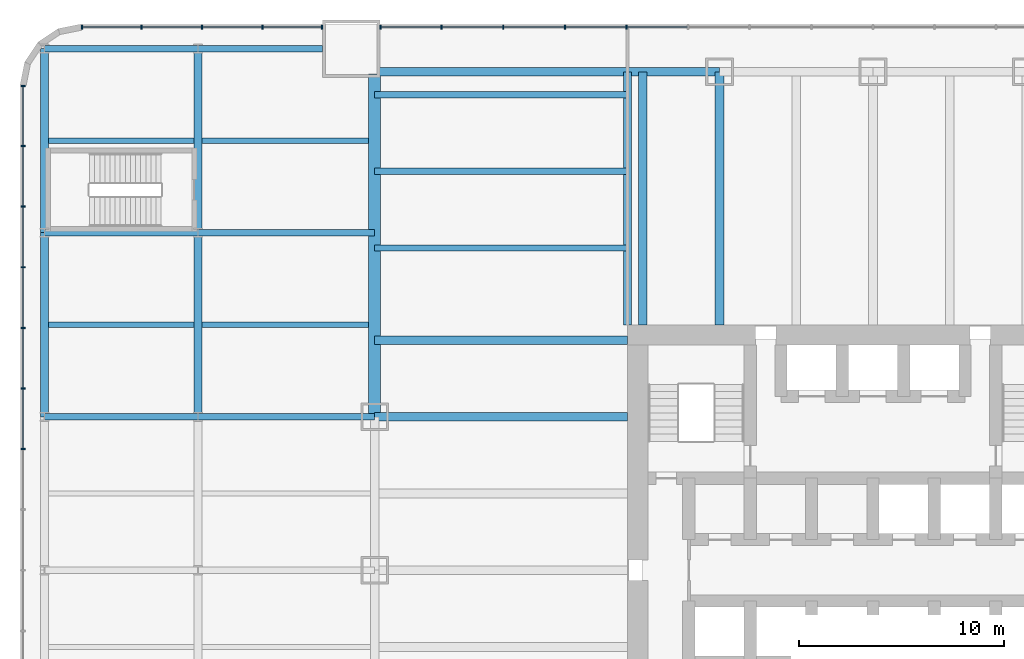
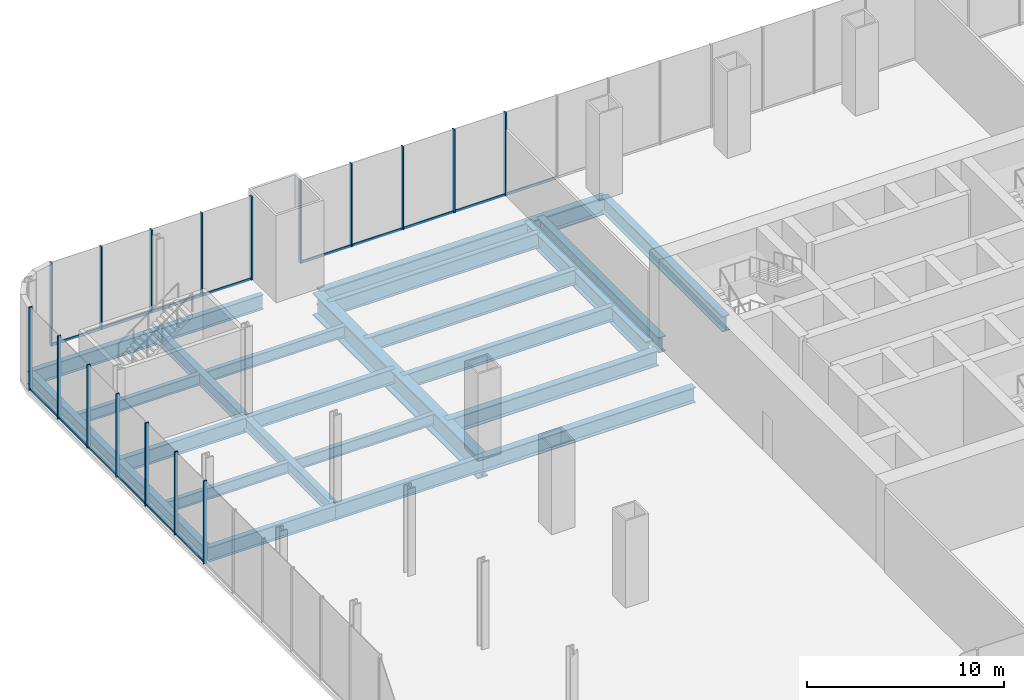
# One storey, part 6 of 16: 32 members, 24 beams, 3 elements without a shape of their own.
"""IFC4 building model written with IfcOpenShell, lengths in metres."""

import ifcopenshell
import ifcopenshell.guid

model = None  # the IFC model being written
_history = None  # IfcOwnerHistory: only IFC2X3 demands one
_inside = {}  # id of a spatial element -> (the spatial element, [elements in it])
_under = {}  # id of a project, library or spatial element -> (it, [spatial elements below it])
_declared = {}  # id of a project -> (the project, [libraries it declares])
_typed = {}  # id of a type object -> (the type object, [elements of that type])
_made_of = {}  # id of a material, layer set ... -> (it, [elements and type objects made of it])


def new_model(schema):
    """Start an empty IFC model of exactly this schema.

    Asked for "IFC4X3", IfcOpenShell would pick the latest addendum, in which some entities
    have other attributes; the version numbers below select the first issue.
    IFC2X3 requires an IfcOwnerHistory on every rooted entity: one is made here for all.
    """
    global model, _history
    if schema == "IFC4X3":
        model = ifcopenshell.file(schema_version=(4, 3, 0, 0))
    else:
        model = ifcopenshell.file(schema=schema)
    _inside.clear()
    _under.clear()
    _declared.clear()
    _typed.clear()
    _made_of.clear()
    _history = None
    if model.schema == "IFC2X3":
        org = make("IfcOrganization", Name="unknown")
        user = make(
            "IfcPersonAndOrganization",
            ThePerson=make("IfcPerson", FamilyName="unknown"),
            TheOrganization=org,
        )
        app = make(
            "IfcApplication",
            ApplicationDeveloper=org,
            Version="unknown",
            ApplicationFullName="unknown",
            ApplicationIdentifier="unknown",
        )
        _history = make(
            "IfcOwnerHistory",
            OwningUser=user,
            OwningApplication=app,
            ChangeAction="ADDED",
            CreationDate=0,
        )
    return model


def make(cls, **values):
    """One entity of the class cls with the attributes given. An attribute that is None is left unset."""
    return model.create_entity(
        cls, **{name: value for name, value in values.items() if value is not None}
    )


def rooted(cls, **values):
    """An entity with a GlobalId (a new one), such as an element, a storey or a relation."""
    return make(cls, GlobalId=ifcopenshell.guid.new(), OwnerHistory=_history, **values)


def si_unit(unit_type, name, prefix=None):
    """IfcSIUnit, for example si_unit("LENGTHUNIT", "METRE", prefix="MILLI")."""
    return make("IfcSIUnit", UnitType=unit_type, Prefix=prefix, Name=name)


def assignment(units):
    """IfcUnitAssignment: the units of a project."""
    return None if units is None else make("IfcUnitAssignment", Units=units)


def point(xyz):
    """IfcCartesianPoint."""
    return None if xyz is None else make("IfcCartesianPoint", Coordinates=xyz)


def direction(xyz):
    """IfcDirection."""
    return None if xyz is None else make("IfcDirection", DirectionRatios=xyz)


def frame(location, z_axis=None, x_axis=None):
    """IfcAxis2Placement3D, a coordinate frame: its origin and axes. An axis left out is left unset."""
    return make(
        "IfcAxis2Placement3D",
        Location=point(location),
        Axis=direction(z_axis),
        RefDirection=direction(x_axis),
    )


def frame_2d(location, x_axis=None):
    """IfcAxis2Placement2D, a coordinate frame in the plane: its origin and x axis."""
    return make(
        "IfcAxis2Placement2D", Location=point(location), RefDirection=direction(x_axis)
    )


def origin():
    """The frame at (0, 0, 0) with its axes left unset."""
    return frame((0.0, 0.0, 0.0))


def origin_2d():
    """The frame at (0, 0) in the plane with its x axis left unset."""
    return frame_2d((0.0, 0.0))


def place(relative_to, where):
    """IfcLocalPlacement: puts the frame where relative to a parent placement (None: the world)."""
    return make(
        "IfcLocalPlacement", PlacementRelTo=relative_to, RelativePlacement=where
    )


def context(
    kind, dimensions, precision=None, world=None, true_north=None, identifier=None
):
    """IfcGeometricRepresentationContext, for example the 3D "Model" context."""
    return make(
        "IfcGeometricRepresentationContext",
        ContextIdentifier=identifier,
        ContextType=kind,
        CoordinateSpaceDimension=dimensions,
        Precision=precision,
        WorldCoordinateSystem=world,
        TrueNorth=true_north,
    )


def subcontext(parent, identifier, kind, view, scale=None):
    """IfcGeometricRepresentationSubContext, for example "Body" below "Model"."""
    return make(
        "IfcGeometricRepresentationSubContext",
        ContextIdentifier=identifier,
        ContextType=kind,
        ParentContext=parent,
        TargetScale=scale,
        TargetView=view,
    )


def project(units=None, contexts=None):
    """IfcProject with its units and contexts."""
    return rooted(
        "IfcProject",
        Name="project",
        RepresentationContexts=contexts,
        UnitsInContext=assignment(units),
    )


def spatial(cls, under=None, at=None, **own):
    """A site, building, storey or space (cls), placed at a placement, below another one or the project."""
    s = rooted(cls, ObjectPlacement=at, **own)
    if under is not None:
        _under.setdefault(under.id(), (under, []))[1].append(s)
    return s


def profile(cls, at=None, kind="AREA", **sizes):
    """A parametric profile (cls). Its sizes go by their IFC names, for example OverallWidth=200.0."""
    return make(cls, ProfileType=kind, Position=at, **sizes)


def rectangle(**sizes):
    """IfcRectangleProfileDef."""
    return profile("IfcRectangleProfileDef", **sizes)


def i_section(**sizes):
    """IfcIShapeProfileDef."""
    return profile("IfcIShapeProfileDef", **sizes)


def extrude(swept, where, along, depth):
    """IfcExtrudedAreaSolid: the profile swept, set in the frame where, extruded along a direction by depth."""
    return make(
        "IfcExtrudedAreaSolid",
        SweptArea=swept,
        Position=where,
        ExtrudedDirection=direction(along),
        Depth=depth,
    )


def shape(context_of_items, identifier, shape_type, items):
    """IfcShapeRepresentation: the items that make up one representation, for example the "Body"."""
    return make(
        "IfcShapeRepresentation",
        ContextOfItems=context_of_items,
        RepresentationIdentifier=identifier,
        RepresentationType=shape_type,
        Items=items,
    )


def material(Name=None, Category=None):
    """IfcMaterial."""
    return make("IfcMaterial", Name=Name, Category=Category)


def material_profile(
    of_material, cross_section, Name=None, Category=None, Priority=None
):
    """IfcMaterialProfile: a cross section and its material."""
    return make(
        "IfcMaterialProfile",
        Name=Name,
        Material=of_material,
        Profile=cross_section,
        Priority=Priority,
        Category=Category,
    )


def profile_set(profiles, Name=None, composite=None):
    """IfcMaterialProfileSet."""
    return make(
        "IfcMaterialProfileSet",
        Name=Name,
        MaterialProfiles=profiles,
        CompositeProfile=composite,
    )


def made_of(thing, what):
    """Note that an element or type object is made of a material, layer set ...; save() writes the relation."""
    if what is not None:
        _made_of.setdefault(what.id(), (what, []))[1].append(thing)
    return thing


def type_object(cls, material=None, **own):
    """A type object (cls), such as IfcWallType, which elements share."""
    return made_of(rooted(cls, **own), material)


def element(
    cls,
    number,
    at=None,
    inside=None,
    cuts=None,
    type_object=None,
    material=None,
    context=None,
    identifier="Body",
    shape_type=None,
    held_by="IfcProductDefinitionShape",
    body=None,
    shapes=None,
    **own,
):
    """One element of the class cls, such as IfcWall. Its Tag is "e" and its number.

    at: its placement. inside: the storey or other place that contains it. cuts: it is an
    opening in that element (IfcRelVoidsElement). A single representation is given by context,
    identifier, shape_type and body (its items); several are given by shapes. held_by: the class
    of the entity that holds the representations. save() writes the other relations.
    """
    e = rooted(cls, Tag="e%d" % number, ObjectPlacement=at, **own)
    if body is not None:
        shapes = [shape(context, identifier, shape_type, body)]
    if shapes is not None:
        e.Representation = make(held_by, Representations=shapes)
    if inside is not None:
        _inside.setdefault(inside.id(), (inside, []))[1].append(e)
    if cuts is not None:
        rooted(
            "IfcRelVoidsElement", RelatingBuildingElement=cuts, RelatedOpeningElement=e
        )
    if type_object is not None:
        _typed.setdefault(type_object.id(), (type_object, []))[1].append(e)
    return made_of(e, material)


def aggregate(whole, parts):
    """IfcRelAggregates: a whole, such as a stair, and the parts it consists of."""
    return rooted("IfcRelAggregates", RelatingObject=whole, RelatedObjects=parts)


def save(model, path):
    """Write the relations noted so far, then the file.

    IfcRelAggregates (storeys below a building ...), IfcRelContainedInSpatialStructure (elements
    in a storey), IfcRelDefinesByType, IfcRelAssociatesMaterial and IfcRelDeclares: one each for
    every whole, place, type object, material and project.
    """
    for whole, parts in _under.values():
        aggregate(whole, parts)
    for where, things in _inside.values():
        rooted(
            "IfcRelContainedInSpatialStructure",
            RelatedElements=things,
            RelatingStructure=where,
        )
    for kind, things in _typed.values():
        rooted("IfcRelDefinesByType", RelatedObjects=things, RelatingType=kind)
    for what, things in _made_of.values():
        rooted("IfcRelAssociatesMaterial", RelatedObjects=things, RelatingMaterial=what)
    for by, libraries in _declared.values():
        rooted("IfcRelDeclares", RelatingContext=by, RelatedDefinitions=libraries)
    model.write(path)


model = new_model("IFC4")

# Units and contexts
model_context = context("Model", 3, precision=1e-05, world=origin(), true_north=direction((0.0, 1.0)))
body_context = subcontext(model_context, "Body", "Model", "MODEL_VIEW")
ifc_project = project(units=[si_unit("LENGTHUNIT", "METRE"), si_unit("AREAUNIT", "SQUARE_METRE"), si_unit("VOLUMEUNIT", "CUBIC_METRE"), si_unit("PLANEANGLEUNIT", "RADIAN"), si_unit("MASSUNIT", "GRAM", prefix="KILO")], contexts=[model_context])

# Site, building, storey
site_placement = place(None, origin())
site = spatial("IfcSite", under=ifc_project, at=site_placement, CompositionType="ELEMENT")
building_placement = place(site_placement, origin())
building = spatial("IfcBuilding", under=site, at=building_placement, Name="Tarangal Relay Tower", CompositionType="ELEMENT")
storey_placement = place(building_placement, frame((0.0, 0.0, 7.199951171875)))
storey = spatial("IfcBuildingStorey", under=building, at=storey_placement, Name="L01", CompositionType="ELEMENT", Elevation=7.199951171875)

# Beams
ifc_material_1 = material(Name="Steel ASTM A992", Category="steel")
ifc_material_profile_1 = material_profile(ifc_material_1, i_section(OverallWidth=0.307373046875, OverallDepth=0.927001953125, WebThickness=0.019287109375, FlangeThickness=0.031982421875, at=origin_2d()), Name="W36X194")
ifc_profile_set_1 = profile_set([ifc_material_profile_1], Name="Steel ASTM A992")
beam_type_1 = type_object("IfcBeamType", Name="Corner beam W36X194", PredefinedType="JOIST", material=ifc_profile_set_1)
for number, where, z_axis, x_axis, name in (
    (1, (-12.0, 15.75, -0.71337890625), (-1.0, 0.0, 0.0), (0.0, -1.0, 0.0), "Corner beam CB10 W L01"),
    (2, (-12.0, 19.5, -0.71337890625), (-1.0, 0.0, 0.0), (0.0, -1.0, 0.0), "Corner beam CB10 W L01"),
    (3, (-12.0, 23.25, -0.71337890625), (-1.0, 0.0, 0.0), (0.0, -1.0, 0.0), "Corner beam CB10 W L01"),
):
    element("IfcBeam", number, at=place(storey_placement, frame(where, z_axis=z_axis, x_axis=x_axis)), inside=storey, type_object=beam_type_1, Name=name, PredefinedType="JOIST", context=body_context, shape_type="SweptSolid", body=[
        extrude(i_section(OverallWidth=0.307373046875, OverallDepth=0.927001953125, WebThickness=0.019287109375, FlangeThickness=0.031982421875, at=origin_2d()), origin(), (0.0, 0.0, 1.0), 12.364990234375),
    ])
ifc_material_profile_2 = material_profile(ifc_material_1, i_section(OverallWidth=0.408935546875, OverallDepth=1.04150390625, WebThickness=0.031005859375, FlangeThickness=0.055908203125, at=origin_2d()), Name="W40X397")
ifc_profile_set_2 = profile_set([ifc_material_profile_2], Name="Steel ASTM A992")
beam_type_2 = type_object("IfcBeamType", Name="Corner girder W40X397", PredefinedType="BEAM", material=ifc_profile_set_2)
beam_1_placement = place(storey_placement, frame((-12.0, 12.0, -0.770751953125), z_axis=(0.0, 1.0, 0.0), x_axis=(-1.0, 0.0, 0.0)))
element("IfcBeam", 4, at=beam_1_placement, inside=storey, type_object=beam_type_2, Name="Corner girder CG1 W L01", PredefinedType="BEAM", context=body_context, shape_type="SweptSolid", body=[
    extrude(i_section(OverallWidth=0.408935546875, OverallDepth=1.04150390625, WebThickness=0.031005859375, FlangeThickness=0.055908203125, at=origin_2d()), origin(), (0.0, 0.0, 1.0), 12.364990234375),
])
ifc_material_profile_3 = material_profile(ifc_material_1, i_section(OverallWidth=0.41650390625, OverallDepth=1.0693359375, WebThickness=0.0390625, FlangeThickness=0.070068359375, at=origin_2d()), Name="W40X503")
ifc_profile_set_3 = profile_set([ifc_material_profile_3], Name="Steel ASTM A992")
beam_type_3 = type_object("IfcBeamType", Name="Edge girder W40X503", PredefinedType="SPANDREL", material=ifc_profile_set_3)
beam_2_placement = place(storey_placement, frame((-24.25, 24.364990234375, -0.78466796875), z_axis=(1.0, 0.0, 0.0), x_axis=(0.0, 1.0, 0.0)))
element("IfcBeam", 5, at=beam_2_placement, inside=storey, type_object=beam_type_3, Name="Edge girder EG8 N L01", PredefinedType="SPANDREL", context=body_context, shape_type="SweptSolid", body=[
    extrude(i_section(OverallWidth=0.41650390625, OverallDepth=1.0693359375, WebThickness=0.0390625, FlangeThickness=0.070068359375, at=origin_2d()), origin(), (0.0, 0.0, 1.0), 16.75),
])
ifc_material_profile_4 = material_profile(ifc_material_1, i_section(OverallWidth=0.42431640625, OverallDepth=0.947509765625, WebThickness=0.02392578125, FlangeThickness=0.042724609375, at=origin_2d()), Name="W36X302")
ifc_profile_set_4 = profile_set([ifc_material_profile_4], Name="Steel ASTM A992")
beam_type_4 = type_object("IfcBeamType", Name="Floor beam W36X302", PredefinedType="BEAM", material=ifc_profile_set_4)
for number, where, z_axis, x_axis, name in (
    (6, (-11.25, 12.0, -0.7236328125), (0.0, 1.0, 0.0), (-1.0, 0.0, 0.0), "Floor beam RB10 N L01"),
    (7, (-7.5, 12.0, -0.7236328125), (0.0, 1.0, 0.0), (-1.0, 0.0, 0.0), "Floor beam RB10 N L01"),
    (8, (-12.0, 7.5, -0.7236328125), (-1.0, 0.0, 0.0), (0.0, -1.0, 0.0), "Floor beam RB10 W L01"),
    (9, (-12.0, 11.25, -0.7236328125), (-1.0, 0.0, 0.0), (0.0, -1.0, 0.0), "Floor beam RB10 W L01"),
):
    element("IfcBeam", number, at=place(storey_placement, frame(where, z_axis=z_axis, x_axis=x_axis)), inside=storey, type_object=beam_type_4, Name=name, PredefinedType="BEAM", context=body_context, shape_type="SweptSolid", body=[
        extrude(i_section(OverallWidth=0.42431640625, OverallDepth=0.947509765625, WebThickness=0.02392578125, FlangeThickness=0.042724609375, at=origin_2d()), origin(), (0.0, 0.0, 1.0), 12.364990234375),
    ])

# Curtain wall, members
ifc_material_2 = material(Name="Unitised curtain wall, dark glass and black aluminium", Category="aluminium")
curtain_wall_type = type_object("IfcCurtainWallType", Name="Curtain wall CW-P", PredefinedType="USERDEFINED", material=ifc_material_2)
curtain_wall_1_placement = place(storey_placement, origin())
curtain_wall_1 = element("IfcCurtainWall", 10, at=curtain_wall_1_placement, inside=storey, type_object=curtain_wall_type, Name="Curtain wall CW-P Podium N facade L01", ObjectType="UNITISED CURTAIN WALL", PredefinedType="USERDEFINED")
ifc_material_3 = material(Name="Black anodised aluminium mullion", Category="aluminium")
ifc_material_profile_5 = material_profile(ifc_material_3, rectangle(XDim=0.199951171875, YDim=0.070068359375, at=origin_2d()), Name="CW-PM 70X200")
ifc_profile_set_5 = profile_set([ifc_material_profile_5], Name="Black anodised aluminium mullion")
member_type_1 = type_object("IfcMemberType", Name="Mullion CW-P 70 x 200", PredefinedType="MULLION", material=ifc_profile_set_5)
member_1_placement = place(storey_placement, frame((-12.050048828125, 26.550048828125, 0.0), z_axis=(0.0, 0.0, 1.0), x_axis=(0.0, -1.0, 0.0)))
member_1 = element("IfcMember", 11, at=member_1_placement, type_object=member_type_1, Name="CW-P mullion 13", PredefinedType="MULLION", context=body_context, shape_type="SweptSolid", body=[
    extrude(rectangle(XDim=0.199951171875, YDim=0.070068359375, at=origin_2d()), origin(), (0.0, 0.0, 1.0), 5.150146484375),
])
member_2_placement = place(storey_placement, frame((-15.0625, 26.550048828125, 0.0), z_axis=(0.0, 0.0, 1.0), x_axis=(0.0, -1.0, 0.0)))
member_2 = element("IfcMember", 12, at=member_2_placement, type_object=member_type_1, Name="CW-P mullion 14", PredefinedType="MULLION", context=body_context, shape_type="SweptSolid", body=[
    extrude(rectangle(XDim=0.199951171875, YDim=0.070068359375, at=origin_2d()), origin(), (0.0, 0.0, 1.0), 5.150146484375),
])
member_3_placement = place(storey_placement, frame((-18.074951171875, 26.550048828125, 0.0), z_axis=(0.0, 0.0, 1.0), x_axis=(0.0, -1.0, 0.0)))
member_3 = element("IfcMember", 13, at=member_3_placement, type_object=member_type_1, Name="CW-P mullion 15", PredefinedType="MULLION", context=body_context, shape_type="SweptSolid", body=[
    extrude(rectangle(XDim=0.199951171875, YDim=0.070068359375, at=origin_2d()), origin(), (0.0, 0.0, 1.0), 5.150146484375),
])
member_4_placement = place(storey_placement, frame((-21.08740234375, 26.550048828125, 0.0), z_axis=(0.0, 0.0, 1.0), x_axis=(0.0, -1.0, 0.0)))
member_4 = element("IfcMember", 14, at=member_4_placement, type_object=member_type_1, Name="CW-P mullion 16", PredefinedType="MULLION", context=body_context, shape_type="SweptSolid", body=[
    extrude(rectangle(XDim=0.199951171875, YDim=0.070068359375, at=origin_2d()), origin(), (0.0, 0.0, 1.0), 5.150146484375),
])
member_5_placement = place(storey_placement, frame((-24.06494140625, 26.550048828125, 0.0), z_axis=(0.0, 0.0, 1.0), x_axis=(0.0, -1.0, 0.0)))
member_5 = element("IfcMember", 15, at=member_5_placement, type_object=member_type_1, Name="CW-P mullion 17", PredefinedType="MULLION", context=body_context, shape_type="SweptSolid", body=[
    extrude(rectangle(XDim=0.199951171875, YDim=0.070068359375, at=origin_2d()), origin(), (0.0, 0.0, 1.0), 5.150146484375),
])

curtain_wall_2_placement = place(storey_placement, origin())
curtain_wall_2 = element("IfcCurtainWall", 16, at=curtain_wall_2_placement, inside=storey, type_object=curtain_wall_type, Name="Curtain wall CW-P Podium N facade L01", ObjectType="UNITISED CURTAIN WALL", PredefinedType="USERDEFINED")
member_6_placement = place(storey_placement, frame((-26.93505859375, 26.550048828125, 0.0), z_axis=(0.0, 0.0, 1.0), x_axis=(0.0, -1.0, 0.0)))
member_6 = element("IfcMember", 17, at=member_6_placement, type_object=member_type_1, Name="CW-P mullion 1", PredefinedType="MULLION", context=body_context, shape_type="SweptSolid", body=[
    extrude(rectangle(XDim=0.199951171875, YDim=0.070068359375, at=origin_2d()), origin(), (0.0, 0.0, 1.0), 5.150146484375),
])
member_7_placement = place(storey_placement, frame((-29.85009765625, 26.550048828125, 0.0), z_axis=(0.0, 0.0, 1.0), x_axis=(0.0, -1.0, 0.0)))
member_7 = element("IfcMember", 18, at=member_7_placement, type_object=member_type_1, Name="CW-P mullion 2", PredefinedType="MULLION", context=body_context, shape_type="SweptSolid", body=[
    extrude(rectangle(XDim=0.199951171875, YDim=0.070068359375, at=origin_2d()), origin(), (0.0, 0.0, 1.0), 5.150146484375),
])
member_8_placement = place(storey_placement, frame((-32.800048828125, 26.550048828125, 0.0), z_axis=(0.0, 0.0, 1.0), x_axis=(0.0, -1.0, 0.0)))
member_8 = element("IfcMember", 19, at=member_8_placement, type_object=member_type_1, Name="CW-P mullion 3", PredefinedType="MULLION", context=body_context, shape_type="SweptSolid", body=[
    extrude(rectangle(XDim=0.199951171875, YDim=0.070068359375, at=origin_2d()), origin(), (0.0, 0.0, 1.0), 5.150146484375),
])
member_9_placement = place(storey_placement, frame((-35.75, 26.550048828125, 0.0), z_axis=(0.0, 0.0, 1.0), x_axis=(0.0, -1.0, 0.0)))
member_9 = element("IfcMember", 20, at=member_9_placement, type_object=member_type_1, Name="CW-P mullion 4", PredefinedType="MULLION", context=body_context, shape_type="SweptSolid", body=[
    extrude(rectangle(XDim=0.199951171875, YDim=0.070068359375, at=origin_2d()), origin(), (0.0, 0.0, 1.0), 5.150146484375),
])
member_10_placement = place(storey_placement, frame((-38.6650390625, 26.550048828125, 0.0), z_axis=(0.0, 0.0, 1.0), x_axis=(0.0, -1.0, 0.0)))
member_10 = element("IfcMember", 21, at=member_10_placement, type_object=member_type_1, Name="CW-P mullion 5", PredefinedType="MULLION", context=body_context, shape_type="SweptSolid", body=[
    extrude(rectangle(XDim=0.199951171875, YDim=0.070068359375, at=origin_2d()), origin(), (0.0, 0.0, 1.0), 5.150146484375),
])

curtain_wall_3_placement = place(storey_placement, origin())
curtain_wall_3 = element("IfcCurtainWall", 22, at=curtain_wall_3_placement, inside=storey, type_object=curtain_wall_type, Name="Curtain wall CW-P Podium W facade L01", ObjectType="UNITISED CURTAIN WALL", PredefinedType="USERDEFINED")
member_11_placement = place(storey_placement, frame((-41.550048828125, 23.6650390625, 0.0), z_axis=(0.0, 0.0, 1.0), x_axis=(1.0, 0.0, 0.0)))
member_11 = element("IfcMember", 23, at=member_11_placement, type_object=member_type_1, Name="CW-P mullion 1", PredefinedType="MULLION", context=body_context, shape_type="SweptSolid", body=[
    extrude(rectangle(XDim=0.199951171875, YDim=0.070068359375, at=origin_2d()), origin(), (0.0, 0.0, 1.0), 5.150146484375),
])
member_12_placement = place(storey_placement, frame((-41.550048828125, 20.737548828125, 0.0), z_axis=(0.0, 0.0, 1.0), x_axis=(1.0, 0.0, 0.0)))
member_12 = element("IfcMember", 24, at=member_12_placement, type_object=member_type_1, Name="CW-P mullion 2", PredefinedType="MULLION", context=body_context, shape_type="SweptSolid", body=[
    extrude(rectangle(XDim=0.199951171875, YDim=0.070068359375, at=origin_2d()), origin(), (0.0, 0.0, 1.0), 5.150146484375),
])
member_13_placement = place(storey_placement, frame((-41.550048828125, 17.77490234375, 0.0), z_axis=(0.0, 0.0, 1.0), x_axis=(1.0, 0.0, 0.0)))
member_13 = element("IfcMember", 25, at=member_13_placement, type_object=member_type_1, Name="CW-P mullion 3", PredefinedType="MULLION", context=body_context, shape_type="SweptSolid", body=[
    extrude(rectangle(XDim=0.199951171875, YDim=0.070068359375, at=origin_2d()), origin(), (0.0, 0.0, 1.0), 5.150146484375),
])
member_14_placement = place(storey_placement, frame((-41.550048828125, 14.8125, 0.0), z_axis=(0.0, 0.0, 1.0), x_axis=(1.0, 0.0, 0.0)))
member_14 = element("IfcMember", 26, at=member_14_placement, type_object=member_type_1, Name="CW-P mullion 4", PredefinedType="MULLION", context=body_context, shape_type="SweptSolid", body=[
    extrude(rectangle(XDim=0.199951171875, YDim=0.070068359375, at=origin_2d()), origin(), (0.0, 0.0, 1.0), 5.150146484375),
])
member_15_placement = place(storey_placement, frame((-41.550048828125, 11.85009765625, 0.0), z_axis=(0.0, 0.0, 1.0), x_axis=(1.0, 0.0, 0.0)))
member_15 = element("IfcMember", 27, at=member_15_placement, type_object=member_type_1, Name="CW-P mullion 5", PredefinedType="MULLION", context=body_context, shape_type="SweptSolid", body=[
    extrude(rectangle(XDim=0.199951171875, YDim=0.070068359375, at=origin_2d()), origin(), (0.0, 0.0, 1.0), 5.150146484375),
])
member_16_placement = place(storey_placement, frame((-41.550048828125, 8.887451171875, 0.0), z_axis=(0.0, 0.0, 1.0), x_axis=(1.0, 0.0, 0.0)))
member_16 = element("IfcMember", 28, at=member_16_placement, type_object=member_type_1, Name="CW-P mullion 6", PredefinedType="MULLION", context=body_context, shape_type="SweptSolid", body=[
    extrude(rectangle(XDim=0.199951171875, YDim=0.070068359375, at=origin_2d()), origin(), (0.0, 0.0, 1.0), 5.150146484375),
])
member_17_placement = place(storey_placement, frame((-41.550048828125, 5.925048828125, 0.0), z_axis=(0.0, 0.0, 1.0), x_axis=(1.0, 0.0, 0.0)))
member_17 = element("IfcMember", 29, at=member_17_placement, type_object=member_type_1, Name="CW-P mullion 7", PredefinedType="MULLION", context=body_context, shape_type="SweptSolid", body=[
    extrude(rectangle(XDim=0.199951171875, YDim=0.070068359375, at=origin_2d()), origin(), (0.0, 0.0, 1.0), 5.150146484375),
])

# Beams
ifc_material_profile_6 = material_profile(ifc_material_1, i_section(OverallWidth=0.3046875, OverallDepth=0.911865234375, WebThickness=0.015869140625, FlangeThickness=0.02392578125, at=origin_2d()), Name="W36X150")
ifc_profile_set_6 = profile_set([ifc_material_profile_6], Name="Steel ASTM A992")
beam_type_5 = type_object("IfcBeamType", Name="Podium beam W36X150", PredefinedType="BEAM", material=ifc_profile_set_6)
beam_3_placement = place(storey_placement, frame((-24.364990234375, 7.5, -0.705810546875), z_axis=(-1.0, 0.0, 0.0), x_axis=(0.0, -1.0, 0.0)))
element("IfcBeam", 30, at=beam_3_placement, inside=storey, type_object=beam_type_5, Name="Podium beam PB1 L01", PredefinedType="BEAM", context=body_context, shape_type="SweptSolid", body=[
    extrude(i_section(OverallWidth=0.3046875, OverallDepth=0.911865234375, WebThickness=0.015869140625, FlangeThickness=0.02392578125, at=origin_2d()), origin(), (0.0, 0.0, 1.0), 8.635009765625),
])
beam_4_placement = place(storey_placement, frame((-33.0, 7.5, -0.705810546875), z_axis=(-1.0, 0.0, 0.0), x_axis=(0.0, -1.0, 0.0)))
element("IfcBeam", 31, at=beam_4_placement, inside=storey, type_object=beam_type_5, Name="Podium beam PB1 L01", PredefinedType="BEAM", context=body_context, shape_type="SweptSolid", body=[
    extrude(i_section(OverallWidth=0.3046875, OverallDepth=0.911865234375, WebThickness=0.015869140625, FlangeThickness=0.02392578125, at=origin_2d()), origin(), (0.0, 0.0, 1.0), 7.5),
])
beam_5_placement = place(storey_placement, frame((-24.364990234375, 16.5, -0.705810546875), z_axis=(-1.0, 0.0, 0.0), x_axis=(0.0, -1.0, 0.0)))
element("IfcBeam", 32, at=beam_5_placement, inside=storey, type_object=beam_type_5, Name="Podium beam PB1 L01", PredefinedType="BEAM", context=body_context, shape_type="SweptSolid", body=[
    extrude(i_section(OverallWidth=0.3046875, OverallDepth=0.911865234375, WebThickness=0.015869140625, FlangeThickness=0.02392578125, at=origin_2d()), origin(), (0.0, 0.0, 1.0), 8.635009765625),
])
beam_6_placement = place(storey_placement, frame((-33.0, 16.5, -0.705810546875), z_axis=(-1.0, 0.0, 0.0), x_axis=(0.0, -1.0, 0.0)))
element("IfcBeam", 33, at=beam_6_placement, inside=storey, type_object=beam_type_5, Name="Podium beam PB1 L01", PredefinedType="BEAM", context=body_context, shape_type="SweptSolid", body=[
    extrude(i_section(OverallWidth=0.3046875, OverallDepth=0.911865234375, WebThickness=0.015869140625, FlangeThickness=0.02392578125, at=origin_2d()), origin(), (0.0, 0.0, 1.0), 7.5),
])
beam_7_placement = place(storey_placement, frame((-26.89990234375, 25.5, -0.705810546875), z_axis=(-1.0, 0.0, 0.0), x_axis=(0.0, -1.0, 0.0)))
element("IfcBeam", 34, at=beam_7_placement, inside=storey, type_object=beam_type_5, Name="Podium beam PB1 L01", PredefinedType="BEAM", context=body_context, shape_type="SweptSolid", body=[
    extrude(i_section(OverallWidth=0.3046875, OverallDepth=0.911865234375, WebThickness=0.015869140625, FlangeThickness=0.02392578125, at=origin_2d()), origin(), (0.0, 0.0, 1.0), 6.10009765625),
])
beam_8_placement = place(storey_placement, frame((-33.0, 25.5, -0.705810546875), z_axis=(-1.0, 0.0, 0.0), x_axis=(0.0, -1.0, 0.0)))
element("IfcBeam", 35, at=beam_8_placement, inside=storey, type_object=beam_type_5, Name="Podium beam PB1 L01", PredefinedType="BEAM", context=body_context, shape_type="SweptSolid", body=[
    extrude(i_section(OverallWidth=0.3046875, OverallDepth=0.911865234375, WebThickness=0.015869140625, FlangeThickness=0.02392578125, at=origin_2d()), origin(), (0.0, 0.0, 1.0), 7.5),
])
ifc_material_profile_7 = material_profile(ifc_material_1, i_section(OverallWidth=0.383544921875, OverallDepth=0.784912109375, WebThickness=0.019775390625, FlangeThickness=0.033447265625, at=origin_2d()), Name="W30X211")
ifc_profile_set_7 = profile_set([ifc_material_profile_7], Name="Steel ASTM A992")
beam_type_6 = type_object("IfcBeamType", Name="Podium girder W30X211", PredefinedType="BEAM", material=ifc_profile_set_7)
for number, where, z_axis, x_axis, name in (
    (36, (-33.0, 7.5, -0.642333984375), (0.0, 1.0, 0.0), (-1.0, 0.0, 0.0), "Podium girder PG1 L01"),
    (37, (-33.0, 16.5, -0.642333984375), (0.0, 1.0, 0.0), (-1.0, 0.0, 0.0), "Podium girder PG1 L01"),
    (38, (-40.5, 7.5, -0.642333984375), (0.0, 1.0, 0.0), (-1.0, 0.0, 0.0), "Podium girder PG1 L01"),
    (39, (-40.5, 16.5, -0.642333984375), (0.0, 1.0, 0.0), (-1.0, 0.0, 0.0), "Podium girder PG1 L01"),
):
    element("IfcBeam", number, at=place(storey_placement, frame(where, z_axis=z_axis, x_axis=x_axis)), inside=storey, type_object=beam_type_6, Name=name, PredefinedType="BEAM", context=body_context, shape_type="SweptSolid", body=[
        extrude(i_section(OverallWidth=0.383544921875, OverallDepth=0.784912109375, WebThickness=0.019775390625, FlangeThickness=0.033447265625, at=origin_2d()), origin(), (0.0, 0.0, 1.0), 9.0),
    ])
ifc_material_profile_8 = material_profile(ifc_material_1, i_section(OverallWidth=0.25390625, OverallDepth=0.683349609375, WebThickness=0.012451171875, FlangeThickness=0.018798828125, at=origin_2d()), Name="W27X94")
ifc_profile_set_8 = profile_set([ifc_material_profile_8], Name="Steel ASTM A992")
beam_type_7 = type_object("IfcBeamType", Name="Podium joist W27X94", PredefinedType="JOIST", material=ifc_profile_set_8)
beam_9_placement = place(storey_placement, frame((-24.6650390625, 12.0, -0.591552734375), z_axis=(-1.0, 0.0, 0.0), x_axis=(0.0, -1.0, 0.0)))
element("IfcBeam", 40, at=beam_9_placement, inside=storey, type_object=beam_type_7, Name="Podium joist PJ1 L01", PredefinedType="JOIST", context=body_context, shape_type="SweptSolid", body=[
    extrude(i_section(OverallWidth=0.25390625, OverallDepth=0.683349609375, WebThickness=0.012451171875, FlangeThickness=0.018798828125, at=origin_2d()), origin(), (0.0, 0.0, 1.0), 8.14404296875),
])
beam_10_placement = place(storey_placement, frame((-33.19091796875, 12.0, -0.591552734375), z_axis=(-1.0, 0.0, 0.0), x_axis=(0.0, -1.0, 0.0)))
element("IfcBeam", 41, at=beam_10_placement, inside=storey, type_object=beam_type_7, Name="Podium joist PJ1 L01", PredefinedType="JOIST", context=body_context, shape_type="SweptSolid", body=[
    extrude(i_section(OverallWidth=0.25390625, OverallDepth=0.683349609375, WebThickness=0.012451171875, FlangeThickness=0.018798828125, at=origin_2d()), origin(), (0.0, 0.0, 1.0), 7.1181640625),
])
beam_11_placement = place(storey_placement, frame((-24.6650390625, 21.0, -0.591552734375), z_axis=(-1.0, 0.0, 0.0), x_axis=(0.0, -1.0, 0.0)))
element("IfcBeam", 42, at=beam_11_placement, inside=storey, type_object=beam_type_7, Name="Podium joist PJ1 L01", PredefinedType="JOIST", context=body_context, shape_type="SweptSolid", body=[
    extrude(i_section(OverallWidth=0.25390625, OverallDepth=0.683349609375, WebThickness=0.012451171875, FlangeThickness=0.018798828125, at=origin_2d()), origin(), (0.0, 0.0, 1.0), 8.14404296875),
])
beam_12_placement = place(storey_placement, frame((-33.19091796875, 21.0, -0.591552734375), z_axis=(-1.0, 0.0, 0.0), x_axis=(0.0, -1.0, 0.0)))
element("IfcBeam", 43, at=beam_12_placement, inside=storey, type_object=beam_type_7, Name="Podium joist PJ1 L01", PredefinedType="JOIST", context=body_context, shape_type="SweptSolid", body=[
    extrude(i_section(OverallWidth=0.25390625, OverallDepth=0.683349609375, WebThickness=0.012451171875, FlangeThickness=0.018798828125, at=origin_2d()), origin(), (0.0, 0.0, 1.0), 7.1181640625),
])
ifc_material_4 = material(Name="Steel ASTM A572 Grade 50", Category="steel")
ifc_material_profile_9 = material_profile(ifc_material_4, i_section(OverallWidth=0.60009765625, OverallDepth=1.39990234375, WebThickness=0.030029296875, FlangeThickness=0.080078125, at=origin_2d()), Name="PG1400X600X80X30")
ifc_profile_set_9 = profile_set([ifc_material_profile_9], Name="Steel ASTM A572 Grade 50")
beam_type_8 = type_object("IfcBeamType", Name="Transfer girder PG1400X600X80X30", PredefinedType="SPANDREL", material=ifc_profile_set_9)
beam_13_placement = place(storey_placement, frame((-24.364990234375, 7.5, -0.949951171875), z_axis=(0.0, 1.0, 0.0), x_axis=(-1.0, 0.0, 0.0)))
element("IfcBeam", 44, at=beam_13_placement, inside=storey, type_object=beam_type_8, Name="Transfer girder TG1 W L01", PredefinedType="SPANDREL", context=body_context, shape_type="SweptSolid", body=[
    extrude(i_section(OverallWidth=0.60009765625, OverallDepth=1.39990234375, WebThickness=0.030029296875, FlangeThickness=0.080078125, at=origin_2d()), origin(), (0.0, 0.0, 1.0), 16.75),
])

# Member
ifc_material_5 = material(Name="Black anodised aluminium transom", Category="aluminium")
ifc_material_profile_10 = material_profile(ifc_material_5, rectangle(XDim=0.070068359375, YDim=0.159912109375, at=origin_2d()), Name="CW-PT 70X160")
ifc_profile_set_10 = profile_set([ifc_material_profile_10], Name="Black anodised aluminium transom")
member_type_2 = type_object("IfcMemberType", Name="Transom CW-P 70 x 160", PredefinedType="USERDEFINED", material=ifc_profile_set_10)
member_18_placement = place(storey_placement, frame((-9.072509765625, 26.550048828125, 0.03515625), z_axis=(-1.0, 0.0, 0.0), x_axis=(0.0, -1.0, 0.0)))
member_18 = element("IfcMember", 45, at=member_18_placement, type_object=member_type_2, Name="CW-P transom 12.1", ObjectType="TRANSOM", PredefinedType="USERDEFINED", context=body_context, shape_type="SweptSolid", body=[
    extrude(rectangle(XDim=0.070068359375, YDim=0.159912109375, at=origin_2d()), origin(), (0.0, 0.0, 1.0), 2.9423828125),
])

member_19_placement = place(storey_placement, frame((-12.0849609375, 26.550048828125, 0.03515625), z_axis=(-1.0, 0.0, 0.0), x_axis=(0.0, -1.0, 0.0)))
member_19 = element("IfcMember", 46, at=member_19_placement, type_object=member_type_2, Name="CW-P transom 13.1", ObjectType="TRANSOM", PredefinedType="USERDEFINED", context=body_context, shape_type="SweptSolid", body=[
    extrude(rectangle(XDim=0.070068359375, YDim=0.159912109375, at=origin_2d()), origin(), (0.0, 0.0, 1.0), 2.942626953125),
])

member_20_placement = place(storey_placement, frame((-15.097412109375, 26.550048828125, 0.03515625), z_axis=(-1.0, 0.0, 0.0), x_axis=(0.0, -1.0, 0.0)))
member_20 = element("IfcMember", 47, at=member_20_placement, type_object=member_type_2, Name="CW-P transom 14.1", ObjectType="TRANSOM", PredefinedType="USERDEFINED", context=body_context, shape_type="SweptSolid", body=[
    extrude(rectangle(XDim=0.070068359375, YDim=0.159912109375, at=origin_2d()), origin(), (0.0, 0.0, 1.0), 2.942626953125),
])

member_21_placement = place(storey_placement, frame((-18.110107421875, 26.550048828125, 0.03515625), z_axis=(-1.0, 0.0, 0.0), x_axis=(0.0, -1.0, 0.0)))
member_21 = element("IfcMember", 48, at=member_21_placement, type_object=member_type_2, Name="CW-P transom 15.1", ObjectType="TRANSOM", PredefinedType="USERDEFINED", context=body_context, shape_type="SweptSolid", body=[
    extrude(rectangle(XDim=0.070068359375, YDim=0.159912109375, at=origin_2d()), origin(), (0.0, 0.0, 1.0), 2.9423828125),
])

member_22_placement = place(storey_placement, frame((-21.12255859375, 26.550048828125, 0.03515625), z_axis=(-1.0, 0.0, 0.0), x_axis=(0.0, -1.0, 0.0)))
member_22 = element("IfcMember", 49, at=member_22_placement, type_object=member_type_2, Name="CW-P transom 16.1", ObjectType="TRANSOM", PredefinedType="USERDEFINED", context=body_context, shape_type="SweptSolid", body=[
    extrude(rectangle(XDim=0.070068359375, YDim=0.159912109375, at=origin_2d()), origin(), (0.0, 0.0, 1.0), 2.907470703125),
])

aggregate(curtain_wall_1, [member_1, member_2, member_3, member_4, member_5, member_18, member_19, member_20, member_21, member_22])

member_23_placement = place(storey_placement, frame((-26.969970703125, 26.550048828125, 0.03515625), z_axis=(-1.0, 0.0, 0.0), x_axis=(0.0, -1.0, 0.0)))
member_23 = element("IfcMember", 50, at=member_23_placement, type_object=member_type_2, Name="CW-P transom 1.1", ObjectType="TRANSOM", PredefinedType="USERDEFINED", context=body_context, shape_type="SweptSolid", body=[
    extrude(rectangle(XDim=0.070068359375, YDim=0.159912109375, at=origin_2d()), origin(), (0.0, 0.0, 1.0), 2.844970703125),
])

member_24_placement = place(storey_placement, frame((-29.885009765625, 26.550048828125, 0.03515625), z_axis=(-1.0, 0.0, 0.0), x_axis=(0.0, -1.0, 0.0)))
member_24 = element("IfcMember", 51, at=member_24_placement, type_object=member_type_2, Name="CW-P transom 2.1", ObjectType="TRANSOM", PredefinedType="USERDEFINED", context=body_context, shape_type="SweptSolid", body=[
    extrude(rectangle(XDim=0.070068359375, YDim=0.159912109375, at=origin_2d()), origin(), (0.0, 0.0, 1.0), 2.8798828125),
])

member_25_placement = place(storey_placement, frame((-32.8349609375, 26.550048828125, 0.03515625), z_axis=(-1.0, 0.0, 0.0), x_axis=(0.0, -1.0, 0.0)))
member_25 = element("IfcMember", 52, at=member_25_placement, type_object=member_type_2, Name="CW-P transom 3.1", ObjectType="TRANSOM", PredefinedType="USERDEFINED", context=body_context, shape_type="SweptSolid", body=[
    extrude(rectangle(XDim=0.070068359375, YDim=0.159912109375, at=origin_2d()), origin(), (0.0, 0.0, 1.0), 2.880126953125),
])

member_26_placement = place(storey_placement, frame((-35.784912109375, 26.550048828125, 0.03515625), z_axis=(-1.0, 0.0, 0.0), x_axis=(0.0, -1.0, 0.0)))
member_26 = element("IfcMember", 53, at=member_26_placement, type_object=member_type_2, Name="CW-P transom 4.1", ObjectType="TRANSOM", PredefinedType="USERDEFINED", context=body_context, shape_type="SweptSolid", body=[
    extrude(rectangle(XDim=0.070068359375, YDim=0.159912109375, at=origin_2d()), origin(), (0.0, 0.0, 1.0), 2.844970703125),
])

aggregate(curtain_wall_2, [member_6, member_7, member_8, member_9, member_10, member_23, member_24, member_25, member_26])

member_27_placement = place(storey_placement, frame((-41.550048828125, 23.6298828125, 0.03515625), z_axis=(0.0, -1.0, 0.0), x_axis=(1.0, 0.0, 0.0)))
member_27 = element("IfcMember", 54, at=member_27_placement, type_object=member_type_2, Name="CW-P transom 1.1", ObjectType="TRANSOM", PredefinedType="USERDEFINED", context=body_context, shape_type="SweptSolid", body=[
    extrude(rectangle(XDim=0.070068359375, YDim=0.159912109375, at=origin_2d()), origin(), (0.0, 0.0, 1.0), 2.857421875),
])

member_28_placement = place(storey_placement, frame((-41.550048828125, 20.702392578125, 0.03515625), z_axis=(0.0, -1.0, 0.0), x_axis=(1.0, 0.0, 0.0)))
member_28 = element("IfcMember", 55, at=member_28_placement, type_object=member_type_2, Name="CW-P transom 2.1", ObjectType="TRANSOM", PredefinedType="USERDEFINED", context=body_context, shape_type="SweptSolid", body=[
    extrude(rectangle(XDim=0.070068359375, YDim=0.159912109375, at=origin_2d()), origin(), (0.0, 0.0, 1.0), 2.892333984375),
])

member_29_placement = place(storey_placement, frame((-41.550048828125, 17.739990234375, 0.03515625), z_axis=(0.0, -1.0, 0.0), x_axis=(1.0, 0.0, 0.0)))
member_29 = element("IfcMember", 56, at=member_29_placement, type_object=member_type_2, Name="CW-P transom 3.1", ObjectType="TRANSOM", PredefinedType="USERDEFINED", context=body_context, shape_type="SweptSolid", body=[
    extrude(rectangle(XDim=0.070068359375, YDim=0.159912109375, at=origin_2d()), origin(), (0.0, 0.0, 1.0), 2.892578125),
])

member_30_placement = place(storey_placement, frame((-41.550048828125, 14.777587890625, 0.03515625), z_axis=(0.0, -1.0, 0.0), x_axis=(1.0, 0.0, 0.0)))
member_30 = element("IfcMember", 57, at=member_30_placement, type_object=member_type_2, Name="CW-P transom 4.1", ObjectType="TRANSOM", PredefinedType="USERDEFINED", context=body_context, shape_type="SweptSolid", body=[
    extrude(rectangle(XDim=0.070068359375, YDim=0.159912109375, at=origin_2d()), origin(), (0.0, 0.0, 1.0), 2.892578125),
])

member_31_placement = place(storey_placement, frame((-41.550048828125, 11.81494140625, 0.03515625), z_axis=(0.0, -1.0, 0.0), x_axis=(1.0, 0.0, 0.0)))
member_31 = element("IfcMember", 58, at=member_31_placement, type_object=member_type_2, Name="CW-P transom 5.1", ObjectType="TRANSOM", PredefinedType="USERDEFINED", context=body_context, shape_type="SweptSolid", body=[
    extrude(rectangle(XDim=0.070068359375, YDim=0.159912109375, at=origin_2d()), origin(), (0.0, 0.0, 1.0), 2.892333984375),
])

member_32_placement = place(storey_placement, frame((-41.550048828125, 8.8525390625, 0.03515625), z_axis=(0.0, -1.0, 0.0), x_axis=(1.0, 0.0, 0.0)))
member_32 = element("IfcMember", 59, at=member_32_placement, type_object=member_type_2, Name="CW-P transom 6.1", ObjectType="TRANSOM", PredefinedType="USERDEFINED", context=body_context, shape_type="SweptSolid", body=[
    extrude(rectangle(XDim=0.070068359375, YDim=0.159912109375, at=origin_2d()), origin(), (0.0, 0.0, 1.0), 2.892578125),
])

aggregate(curtain_wall_3, [member_11, member_12, member_13, member_14, member_15, member_16, member_17, member_27, member_28, member_29, member_30, member_31, member_32])

save(model, "model.ifc")
